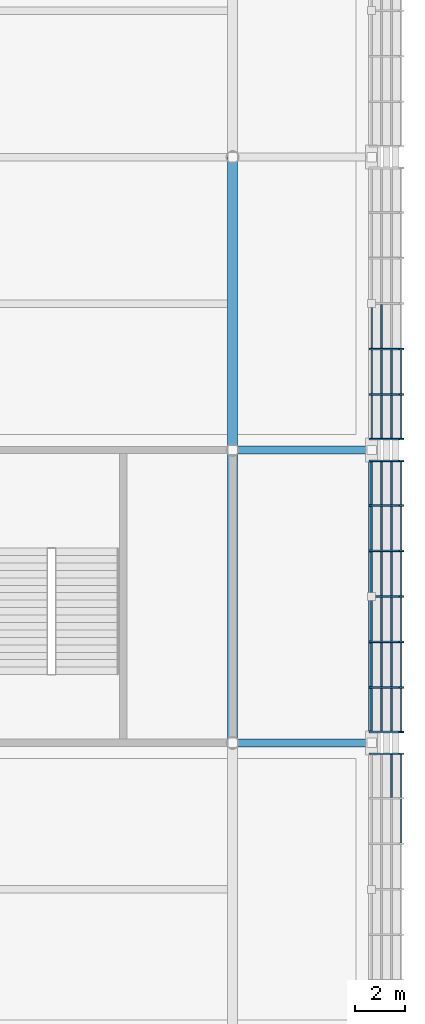
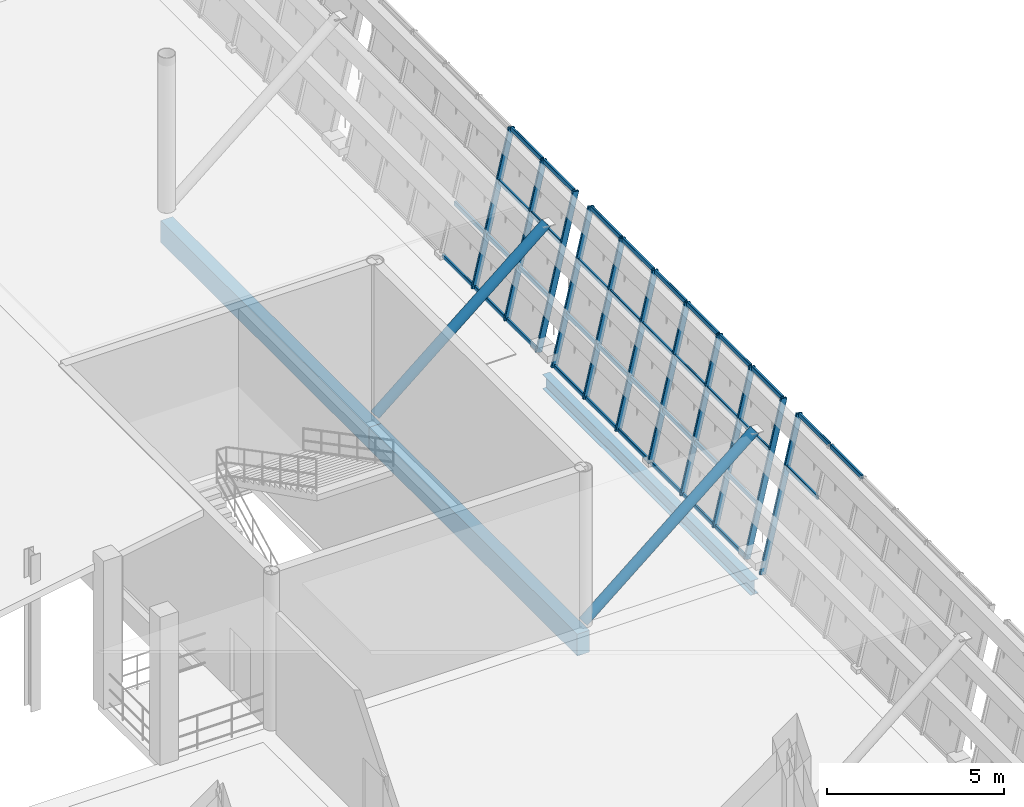
# One storey, part 63 of 175: 50 members, 3 beams, 3 elements without a shape of their own.
"""IFC4 building model written with IfcOpenShell, lengths in metres."""

from ifc_helpers import new_model, si_unit, direction, frame, origin, origin_2d, place, context, subcontext, project, spatial, rectangle, hollow_rectangle, hollow_circle, i_section, extrude, material, material_profile, profile_set, type_object, element, aggregate, save


model = new_model("IFC4")

# Units and contexts
model_context = context("Model", 3, precision=1e-05, world=origin(), true_north=direction((0.0, 1.0)))
body_context = subcontext(model_context, "Body", "Model", "MODEL_VIEW")
ifc_project = project(units=[si_unit("LENGTHUNIT", "METRE"), si_unit("AREAUNIT", "SQUARE_METRE"), si_unit("VOLUMEUNIT", "CUBIC_METRE"), si_unit("PLANEANGLEUNIT", "RADIAN"), si_unit("MASSUNIT", "GRAM", prefix="KILO")], contexts=[model_context])

# Site, building, storey
site_placement = place(None, origin())
site = spatial("IfcSite", under=ifc_project, at=site_placement, CompositionType="ELEMENT")
building_placement = place(site_placement, origin())
building = spatial("IfcBuilding", under=site, at=building_placement, Name="Brelvane Convention Centre", CompositionType="ELEMENT")
storey_placement = place(building_placement, frame((0.0, 0.0, 5.39990234375)))
storey = spatial("IfcBuildingStorey", under=building, at=storey_placement, Name="L01", CompositionType="ELEMENT", Elevation=5.39990234375)

# Curtain wall, member
ifc_material_1 = material(Name="Anodised Aluminium Alloy 6063-T6", Category="aluminium")
curtain_wall_type = type_object("IfcCurtainWallType", Name="Curtain Wall CW-PLEN-E", PredefinedType="USERDEFINED", material=ifc_material_1)
curtain_wall_1_placement = place(storey_placement, origin())
curtain_wall_1 = element("IfcCurtainWall", 1, at=curtain_wall_1_placement, inside=storey, type_object=curtain_wall_type, Name="Curtain Wall CW-PLEN-E L01-HULL-E-L01-2", ObjectType="UNITISED", PredefinedType="USERDEFINED")
ifc_material_2 = material(Name="Anodised Aluminium Alloy 6063-T6", Category="aluminium")
ifc_material_profile_1 = material_profile(ifc_material_2, hollow_rectangle(XDim=0.074951171875, YDim=0.199951171875, WallThickness=0.0048828125, InnerFilletRadius=0.0048828125, OuterFilletRadius=0.010009765625, at=origin_2d()), Name="ALU-M 200x75x5.0")
ifc_profile_set_1 = profile_set([ifc_material_profile_1], Name="Anodised Aluminium Alloy 6063-T6")
member_type_1 = type_object("IfcMemberType", Name="Curtain Mullion CW-M2", PredefinedType="MULLION", material=ifc_profile_set_1)
member_1_placement = place(storey_placement, frame((230.0, 40.16259765625, 0.0), z_axis=(0.228360162456, 0.0, 0.973576723326), x_axis=(0.0, 1.0, 0.0)))
member_1 = element("IfcMember", 2, at=member_1_placement, type_object=member_type_1, Name="CW-PLEN-E mullion 7", PredefinedType="MULLION", context=body_context, shape_type="SweptSolid", body=[
    extrude(hollow_rectangle(XDim=0.074951171875, YDim=0.199951171875, WallThickness=0.0048828125, InnerFilletRadius=0.0048828125, OuterFilletRadius=0.010009765625, at=origin_2d()), origin(), (0.0, 0.0, 1.0), 5.2900390625),
])

# Curtain wall, members
curtain_wall_2_placement = place(storey_placement, origin())
curtain_wall_2 = element("IfcCurtainWall", 3, at=curtain_wall_2_placement, inside=storey, type_object=curtain_wall_type, Name="Curtain Wall CW-PLEN-E L01-HULL-E-L01-3", ObjectType="UNITISED", PredefinedType="USERDEFINED")
member_2_placement = place(storey_placement, frame((230.0, 41.03759765625, 0.0), z_axis=(0.228360162456, 0.0, 0.973576723326), x_axis=(0.0, 1.0, 0.0)))
member_2 = element("IfcMember", 4, at=member_2_placement, type_object=member_type_1, Name="CW-PLEN-E mullion 1", PredefinedType="MULLION", context=body_context, shape_type="SweptSolid", body=[
    extrude(hollow_rectangle(XDim=0.074951171875, YDim=0.199951171875, WallThickness=0.0048828125, InnerFilletRadius=0.0048828125, OuterFilletRadius=0.010009765625, at=origin_2d()), origin(), (0.0, 0.0, 1.0), 5.2900390625),
])
member_3_placement = place(storey_placement, frame((230.0, 42.833251953125, 0.0), z_axis=(0.228360162456, 0.0, 0.973576723326), x_axis=(0.0, 1.0, 0.0)))
member_3 = element("IfcMember", 5, at=member_3_placement, type_object=member_type_1, Name="CW-PLEN-E mullion 2", PredefinedType="MULLION", context=body_context, shape_type="SweptSolid", body=[
    extrude(hollow_rectangle(XDim=0.074951171875, YDim=0.199951171875, WallThickness=0.0048828125, InnerFilletRadius=0.0048828125, OuterFilletRadius=0.010009765625, at=origin_2d()), origin(), (0.0, 0.0, 1.0), 5.2900390625),
])
member_4_placement = place(storey_placement, frame((230.0, 44.666748046875, 0.0), z_axis=(0.228360162456, 0.0, 0.973576723326), x_axis=(0.0, 1.0, 0.0)))
member_4 = element("IfcMember", 6, at=member_4_placement, type_object=member_type_1, Name="CW-PLEN-E mullion 3", PredefinedType="MULLION", context=body_context, shape_type="SweptSolid", body=[
    extrude(hollow_rectangle(XDim=0.074951171875, YDim=0.199951171875, WallThickness=0.0048828125, InnerFilletRadius=0.0048828125, OuterFilletRadius=0.010009765625, at=origin_2d()), origin(), (0.0, 0.0, 1.0), 5.2900390625),
])
member_5_placement = place(storey_placement, frame((230.0, 46.5, 0.0), z_axis=(0.228360162456, 0.0, 0.973576723326), x_axis=(0.0, 1.0, 0.0)))
member_5 = element("IfcMember", 7, at=member_5_placement, type_object=member_type_1, Name="CW-PLEN-E mullion 4", PredefinedType="MULLION", context=body_context, shape_type="SweptSolid", body=[
    extrude(hollow_rectangle(XDim=0.074951171875, YDim=0.199951171875, WallThickness=0.0048828125, InnerFilletRadius=0.0048828125, OuterFilletRadius=0.010009765625, at=origin_2d()), origin(), (0.0, 0.0, 1.0), 5.2900390625),
])
member_6_placement = place(storey_placement, frame((230.0, 48.333251953125, 0.0), z_axis=(0.228360162456, 0.0, 0.973576723326), x_axis=(0.0, 1.0, 0.0)))
member_6 = element("IfcMember", 8, at=member_6_placement, type_object=member_type_1, Name="CW-PLEN-E mullion 5", PredefinedType="MULLION", context=body_context, shape_type="SweptSolid", body=[
    extrude(hollow_rectangle(XDim=0.074951171875, YDim=0.199951171875, WallThickness=0.0048828125, InnerFilletRadius=0.0048828125, OuterFilletRadius=0.010009765625, at=origin_2d()), origin(), (0.0, 0.0, 1.0), 5.2900390625),
])
member_7_placement = place(storey_placement, frame((230.0, 50.166748046875, 0.0), z_axis=(0.228360162456, 0.0, 0.973576723326), x_axis=(0.0, 1.0, 0.0)))
member_7 = element("IfcMember", 9, at=member_7_placement, type_object=member_type_1, Name="CW-PLEN-E mullion 6", PredefinedType="MULLION", context=body_context, shape_type="SweptSolid", body=[
    extrude(hollow_rectangle(XDim=0.074951171875, YDim=0.199951171875, WallThickness=0.0048828125, InnerFilletRadius=0.0048828125, OuterFilletRadius=0.010009765625, at=origin_2d()), origin(), (0.0, 0.0, 1.0), 5.2900390625),
])
member_8_placement = place(storey_placement, frame((230.0, 51.96240234375, 0.0), z_axis=(0.228360162456, 0.0, 0.973576723326), x_axis=(0.0, 1.0, 0.0)))
member_8 = element("IfcMember", 10, at=member_8_placement, type_object=member_type_1, Name="CW-PLEN-E mullion 7", PredefinedType="MULLION", context=body_context, shape_type="SweptSolid", body=[
    extrude(hollow_rectangle(XDim=0.074951171875, YDim=0.199951171875, WallThickness=0.0048828125, InnerFilletRadius=0.0048828125, OuterFilletRadius=0.010009765625, at=origin_2d()), origin(), (0.0, 0.0, 1.0), 5.2900390625),
])

curtain_wall_3_placement = place(storey_placement, origin())
curtain_wall_3 = element("IfcCurtainWall", 11, at=curtain_wall_3_placement, inside=storey, type_object=curtain_wall_type, Name="Curtain Wall CW-PLEN-E L01-HULL-E-L01-4", ObjectType="UNITISED", PredefinedType="USERDEFINED")
member_9_placement = place(storey_placement, frame((230.0, 52.83740234375, 0.0), z_axis=(0.228360162456, 0.0, 0.973576723326), x_axis=(0.0, 1.0, 0.0)))
member_9 = element("IfcMember", 12, at=member_9_placement, type_object=member_type_1, Name="CW-PLEN-E mullion 1", PredefinedType="MULLION", context=body_context, shape_type="SweptSolid", body=[
    extrude(hollow_rectangle(XDim=0.074951171875, YDim=0.199951171875, WallThickness=0.0048828125, InnerFilletRadius=0.0048828125, OuterFilletRadius=0.010009765625, at=origin_2d()), origin(), (0.0, 0.0, 1.0), 5.2900390625),
])
member_10_placement = place(storey_placement, frame((230.0, 54.63330078125, 0.0), z_axis=(0.228360162456, 0.0, 0.973576723326), x_axis=(0.0, 1.0, 0.0)))
member_10 = element("IfcMember", 13, at=member_10_placement, type_object=member_type_1, Name="CW-PLEN-E mullion 2", PredefinedType="MULLION", context=body_context, shape_type="SweptSolid", body=[
    extrude(hollow_rectangle(XDim=0.074951171875, YDim=0.199951171875, WallThickness=0.0048828125, InnerFilletRadius=0.0048828125, OuterFilletRadius=0.010009765625, at=origin_2d()), origin(), (0.0, 0.0, 1.0), 5.2900390625),
])
member_11_placement = place(storey_placement, frame((230.0, 56.466552734375, 0.0), z_axis=(0.228360162456, 0.0, 0.973576723326), x_axis=(0.0, 1.0, 0.0)))
member_11 = element("IfcMember", 14, at=member_11_placement, type_object=member_type_1, Name="CW-PLEN-E mullion 3", PredefinedType="MULLION", context=body_context, shape_type="SweptSolid", body=[
    extrude(hollow_rectangle(XDim=0.074951171875, YDim=0.199951171875, WallThickness=0.0048828125, InnerFilletRadius=0.0048828125, OuterFilletRadius=0.010009765625, at=origin_2d()), origin(), (0.0, 0.0, 1.0), 5.2900390625),
])

# Member
ifc_material_3 = material(Name="Anodised Aluminium Alloy 6063-T6", Category="aluminium")
ifc_material_profile_2 = material_profile(ifc_material_3, hollow_rectangle(XDim=0.070068359375, YDim=0.14990234375, WallThickness=0.00439453125, InnerFilletRadius=0.00439453125, OuterFilletRadius=0.009033203125, at=origin_2d()), Name="ALU-T 150x70x4.5")
ifc_profile_set_2 = profile_set([ifc_material_profile_2], Name="Anodised Aluminium Alloy 6063-T6")
member_type_2 = type_object("IfcMemberType", Name="Curtain Transom CW-T2", PredefinedType="USERDEFINED", material=ifc_profile_set_2)
member_12_placement = place(storey_placement, frame((231.19970703125, 36.57080078125, 5.114990234375), z_axis=(0.0, 1.0, 0.0), x_axis=(-1.0, 0.0, 0.0)))
member_12 = element("IfcMember", 15, at=member_12_placement, type_object=member_type_2, Name="CW-PLEN-E transom 5.4", ObjectType="TRANSOM", PredefinedType="USERDEFINED", context=body_context, shape_type="SweptSolid", body=[
    extrude(hollow_rectangle(XDim=0.070068359375, YDim=0.14990234375, WallThickness=0.00439453125, InnerFilletRadius=0.00439453125, OuterFilletRadius=0.009033203125, at=origin_2d()), origin(), (0.0, 0.0, 1.0), 1.75830078125),
])

member_13_placement = place(storey_placement, frame((230.80517578125, 38.404052734375, 3.433349609375), z_axis=(0.0, 1.0, 0.0), x_axis=(-1.0, 0.0, 0.0)))
member_13 = element("IfcMember", 16, at=member_13_placement, type_object=member_type_2, Name="CW-PLEN-E transom 6.3", ObjectType="TRANSOM", PredefinedType="USERDEFINED", context=body_context, shape_type="SweptSolid", body=[
    extrude(hollow_rectangle(XDim=0.070068359375, YDim=0.14990234375, WallThickness=0.00439453125, InnerFilletRadius=0.00439453125, OuterFilletRadius=0.009033203125, at=origin_2d()), origin(), (0.0, 0.0, 1.0), 1.720947265625),
])

member_14_placement = place(storey_placement, frame((231.19970703125, 38.404052734375, 5.114990234375), z_axis=(0.0, 1.0, 0.0), x_axis=(-1.0, 0.0, 0.0)))
member_14 = element("IfcMember", 17, at=member_14_placement, type_object=member_type_2, Name="CW-PLEN-E transom 6.4", ObjectType="TRANSOM", PredefinedType="USERDEFINED", context=body_context, shape_type="SweptSolid", body=[
    extrude(hollow_rectangle(XDim=0.070068359375, YDim=0.14990234375, WallThickness=0.00439453125, InnerFilletRadius=0.00439453125, OuterFilletRadius=0.009033203125, at=origin_2d()), origin(), (0.0, 0.0, 1.0), 1.720947265625),
])

aggregate(curtain_wall_1, [member_1, member_12, member_13, member_14])

member_15_placement = place(storey_placement, frame((230.00830078125, 41.074951171875, 0.03515625), z_axis=(0.0, 1.0, 0.0), x_axis=(-1.0, 0.0, 0.0)))
member_15 = element("IfcMember", 18, at=member_15_placement, type_object=member_type_2, Name="CW-PLEN-E transom 1.1", ObjectType="TRANSOM", PredefinedType="USERDEFINED", context=body_context, shape_type="SweptSolid", body=[
    extrude(hollow_rectangle(XDim=0.070068359375, YDim=0.14990234375, WallThickness=0.00439453125, InnerFilletRadius=0.00439453125, OuterFilletRadius=0.009033203125, at=origin_2d()), origin(), (0.0, 0.0, 1.0), 1.720947265625),
])

member_16_placement = place(storey_placement, frame((230.402587890625, 41.074951171875, 1.716796875), z_axis=(0.0, 1.0, 0.0), x_axis=(-1.0, 0.0, 0.0)))
member_16 = element("IfcMember", 19, at=member_16_placement, type_object=member_type_2, Name="CW-PLEN-E transom 1.2", ObjectType="TRANSOM", PredefinedType="USERDEFINED", context=body_context, shape_type="SweptSolid", body=[
    extrude(hollow_rectangle(XDim=0.070068359375, YDim=0.14990234375, WallThickness=0.00439453125, InnerFilletRadius=0.00439453125, OuterFilletRadius=0.009033203125, at=origin_2d()), origin(), (0.0, 0.0, 1.0), 1.720947265625),
])

member_17_placement = place(storey_placement, frame((230.80517578125, 41.074951171875, 3.433349609375), z_axis=(0.0, 1.0, 0.0), x_axis=(-1.0, 0.0, 0.0)))
member_17 = element("IfcMember", 20, at=member_17_placement, type_object=member_type_2, Name="CW-PLEN-E transom 1.3", ObjectType="TRANSOM", PredefinedType="USERDEFINED", context=body_context, shape_type="SweptSolid", body=[
    extrude(hollow_rectangle(XDim=0.070068359375, YDim=0.14990234375, WallThickness=0.00439453125, InnerFilletRadius=0.00439453125, OuterFilletRadius=0.009033203125, at=origin_2d()), origin(), (0.0, 0.0, 1.0), 1.720947265625),
])

member_18_placement = place(storey_placement, frame((231.19970703125, 41.074951171875, 5.114990234375), z_axis=(0.0, 1.0, 0.0), x_axis=(-1.0, 0.0, 0.0)))
member_18 = element("IfcMember", 21, at=member_18_placement, type_object=member_type_2, Name="CW-PLEN-E transom 1.4", ObjectType="TRANSOM", PredefinedType="USERDEFINED", context=body_context, shape_type="SweptSolid", body=[
    extrude(hollow_rectangle(XDim=0.070068359375, YDim=0.14990234375, WallThickness=0.00439453125, InnerFilletRadius=0.00439453125, OuterFilletRadius=0.009033203125, at=origin_2d()), origin(), (0.0, 0.0, 1.0), 1.720947265625),
])

member_19_placement = place(storey_placement, frame((230.00830078125, 42.870849609375, 0.03515625), z_axis=(0.0, 1.0, 0.0), x_axis=(-1.0, 0.0, 0.0)))
member_19 = element("IfcMember", 22, at=member_19_placement, type_object=member_type_2, Name="CW-PLEN-E transom 2.1", ObjectType="TRANSOM", PredefinedType="USERDEFINED", context=body_context, shape_type="SweptSolid", body=[
    extrude(hollow_rectangle(XDim=0.070068359375, YDim=0.14990234375, WallThickness=0.00439453125, InnerFilletRadius=0.00439453125, OuterFilletRadius=0.009033203125, at=origin_2d()), origin(), (0.0, 0.0, 1.0), 1.75830078125),
])

member_20_placement = place(storey_placement, frame((230.402587890625, 42.870849609375, 1.716796875), z_axis=(0.0, 1.0, 0.0), x_axis=(-1.0, 0.0, 0.0)))
member_20 = element("IfcMember", 23, at=member_20_placement, type_object=member_type_2, Name="CW-PLEN-E transom 2.2", ObjectType="TRANSOM", PredefinedType="USERDEFINED", context=body_context, shape_type="SweptSolid", body=[
    extrude(hollow_rectangle(XDim=0.070068359375, YDim=0.14990234375, WallThickness=0.00439453125, InnerFilletRadius=0.00439453125, OuterFilletRadius=0.009033203125, at=origin_2d()), origin(), (0.0, 0.0, 1.0), 1.75830078125),
])

member_21_placement = place(storey_placement, frame((230.80517578125, 42.870849609375, 3.433349609375), z_axis=(0.0, 1.0, 0.0), x_axis=(-1.0, 0.0, 0.0)))
member_21 = element("IfcMember", 24, at=member_21_placement, type_object=member_type_2, Name="CW-PLEN-E transom 2.3", ObjectType="TRANSOM", PredefinedType="USERDEFINED", context=body_context, shape_type="SweptSolid", body=[
    extrude(hollow_rectangle(XDim=0.070068359375, YDim=0.14990234375, WallThickness=0.00439453125, InnerFilletRadius=0.00439453125, OuterFilletRadius=0.009033203125, at=origin_2d()), origin(), (0.0, 0.0, 1.0), 1.75830078125),
])

member_22_placement = place(storey_placement, frame((231.19970703125, 42.870849609375, 5.114990234375), z_axis=(0.0, 1.0, 0.0), x_axis=(-1.0, 0.0, 0.0)))
member_22 = element("IfcMember", 25, at=member_22_placement, type_object=member_type_2, Name="CW-PLEN-E transom 2.4", ObjectType="TRANSOM", PredefinedType="USERDEFINED", context=body_context, shape_type="SweptSolid", body=[
    extrude(hollow_rectangle(XDim=0.070068359375, YDim=0.14990234375, WallThickness=0.00439453125, InnerFilletRadius=0.00439453125, OuterFilletRadius=0.009033203125, at=origin_2d()), origin(), (0.0, 0.0, 1.0), 1.75830078125),
])

member_23_placement = place(storey_placement, frame((230.00830078125, 44.7041015625, 0.03515625), z_axis=(0.0, 1.0, 0.0), x_axis=(-1.0, 0.0, 0.0)))
member_23 = element("IfcMember", 26, at=member_23_placement, type_object=member_type_2, Name="CW-PLEN-E transom 3.1", ObjectType="TRANSOM", PredefinedType="USERDEFINED", context=body_context, shape_type="SweptSolid", body=[
    extrude(hollow_rectangle(XDim=0.070068359375, YDim=0.14990234375, WallThickness=0.00439453125, InnerFilletRadius=0.00439453125, OuterFilletRadius=0.009033203125, at=origin_2d()), origin(), (0.0, 0.0, 1.0), 1.75830078125),
])

member_24_placement = place(storey_placement, frame((230.402587890625, 44.7041015625, 1.716796875), z_axis=(0.0, 1.0, 0.0), x_axis=(-1.0, 0.0, 0.0)))
member_24 = element("IfcMember", 27, at=member_24_placement, type_object=member_type_2, Name="CW-PLEN-E transom 3.2", ObjectType="TRANSOM", PredefinedType="USERDEFINED", context=body_context, shape_type="SweptSolid", body=[
    extrude(hollow_rectangle(XDim=0.070068359375, YDim=0.14990234375, WallThickness=0.00439453125, InnerFilletRadius=0.00439453125, OuterFilletRadius=0.009033203125, at=origin_2d()), origin(), (0.0, 0.0, 1.0), 1.75830078125),
])

member_25_placement = place(storey_placement, frame((230.80517578125, 44.7041015625, 3.433349609375), z_axis=(0.0, 1.0, 0.0), x_axis=(-1.0, 0.0, 0.0)))
member_25 = element("IfcMember", 28, at=member_25_placement, type_object=member_type_2, Name="CW-PLEN-E transom 3.3", ObjectType="TRANSOM", PredefinedType="USERDEFINED", context=body_context, shape_type="SweptSolid", body=[
    extrude(hollow_rectangle(XDim=0.070068359375, YDim=0.14990234375, WallThickness=0.00439453125, InnerFilletRadius=0.00439453125, OuterFilletRadius=0.009033203125, at=origin_2d()), origin(), (0.0, 0.0, 1.0), 1.75830078125),
])

member_26_placement = place(storey_placement, frame((231.19970703125, 44.7041015625, 5.114990234375), z_axis=(0.0, 1.0, 0.0), x_axis=(-1.0, 0.0, 0.0)))
member_26 = element("IfcMember", 29, at=member_26_placement, type_object=member_type_2, Name="CW-PLEN-E transom 3.4", ObjectType="TRANSOM", PredefinedType="USERDEFINED", context=body_context, shape_type="SweptSolid", body=[
    extrude(hollow_rectangle(XDim=0.070068359375, YDim=0.14990234375, WallThickness=0.00439453125, InnerFilletRadius=0.00439453125, OuterFilletRadius=0.009033203125, at=origin_2d()), origin(), (0.0, 0.0, 1.0), 1.75830078125),
])

member_27_placement = place(storey_placement, frame((230.00830078125, 46.53759765625, 0.03515625), z_axis=(0.0, 1.0, 0.0), x_axis=(-1.0, 0.0, 0.0)))
member_27 = element("IfcMember", 30, at=member_27_placement, type_object=member_type_2, Name="CW-PLEN-E transom 4.1", ObjectType="TRANSOM", PredefinedType="USERDEFINED", context=body_context, shape_type="SweptSolid", body=[
    extrude(hollow_rectangle(XDim=0.070068359375, YDim=0.14990234375, WallThickness=0.00439453125, InnerFilletRadius=0.00439453125, OuterFilletRadius=0.009033203125, at=origin_2d()), origin(), (0.0, 0.0, 1.0), 1.75830078125),
])

member_28_placement = place(storey_placement, frame((230.402587890625, 46.53759765625, 1.716796875), z_axis=(0.0, 1.0, 0.0), x_axis=(-1.0, 0.0, 0.0)))
member_28 = element("IfcMember", 31, at=member_28_placement, type_object=member_type_2, Name="CW-PLEN-E transom 4.2", ObjectType="TRANSOM", PredefinedType="USERDEFINED", context=body_context, shape_type="SweptSolid", body=[
    extrude(hollow_rectangle(XDim=0.070068359375, YDim=0.14990234375, WallThickness=0.00439453125, InnerFilletRadius=0.00439453125, OuterFilletRadius=0.009033203125, at=origin_2d()), origin(), (0.0, 0.0, 1.0), 1.75830078125),
])

member_29_placement = place(storey_placement, frame((230.80517578125, 46.53759765625, 3.433349609375), z_axis=(0.0, 1.0, 0.0), x_axis=(-1.0, 0.0, 0.0)))
member_29 = element("IfcMember", 32, at=member_29_placement, type_object=member_type_2, Name="CW-PLEN-E transom 4.3", ObjectType="TRANSOM", PredefinedType="USERDEFINED", context=body_context, shape_type="SweptSolid", body=[
    extrude(hollow_rectangle(XDim=0.070068359375, YDim=0.14990234375, WallThickness=0.00439453125, InnerFilletRadius=0.00439453125, OuterFilletRadius=0.009033203125, at=origin_2d()), origin(), (0.0, 0.0, 1.0), 1.75830078125),
])

member_30_placement = place(storey_placement, frame((231.19970703125, 46.53759765625, 5.114990234375), z_axis=(0.0, 1.0, 0.0), x_axis=(-1.0, 0.0, 0.0)))
member_30 = element("IfcMember", 33, at=member_30_placement, type_object=member_type_2, Name="CW-PLEN-E transom 4.4", ObjectType="TRANSOM", PredefinedType="USERDEFINED", context=body_context, shape_type="SweptSolid", body=[
    extrude(hollow_rectangle(XDim=0.070068359375, YDim=0.14990234375, WallThickness=0.00439453125, InnerFilletRadius=0.00439453125, OuterFilletRadius=0.009033203125, at=origin_2d()), origin(), (0.0, 0.0, 1.0), 1.75830078125),
])

member_31_placement = place(storey_placement, frame((230.00830078125, 48.370849609375, 0.03515625), z_axis=(0.0, 1.0, 0.0), x_axis=(-1.0, 0.0, 0.0)))
member_31 = element("IfcMember", 34, at=member_31_placement, type_object=member_type_2, Name="CW-PLEN-E transom 5.1", ObjectType="TRANSOM", PredefinedType="USERDEFINED", context=body_context, shape_type="SweptSolid", body=[
    extrude(hollow_rectangle(XDim=0.070068359375, YDim=0.14990234375, WallThickness=0.00439453125, InnerFilletRadius=0.00439453125, OuterFilletRadius=0.009033203125, at=origin_2d()), origin(), (0.0, 0.0, 1.0), 1.75830078125),
])

member_32_placement = place(storey_placement, frame((230.402587890625, 48.370849609375, 1.716796875), z_axis=(0.0, 1.0, 0.0), x_axis=(-1.0, 0.0, 0.0)))
member_32 = element("IfcMember", 35, at=member_32_placement, type_object=member_type_2, Name="CW-PLEN-E transom 5.2", ObjectType="TRANSOM", PredefinedType="USERDEFINED", context=body_context, shape_type="SweptSolid", body=[
    extrude(hollow_rectangle(XDim=0.070068359375, YDim=0.14990234375, WallThickness=0.00439453125, InnerFilletRadius=0.00439453125, OuterFilletRadius=0.009033203125, at=origin_2d()), origin(), (0.0, 0.0, 1.0), 1.75830078125),
])

member_33_placement = place(storey_placement, frame((230.80517578125, 48.370849609375, 3.433349609375), z_axis=(0.0, 1.0, 0.0), x_axis=(-1.0, 0.0, 0.0)))
member_33 = element("IfcMember", 36, at=member_33_placement, type_object=member_type_2, Name="CW-PLEN-E transom 5.3", ObjectType="TRANSOM", PredefinedType="USERDEFINED", context=body_context, shape_type="SweptSolid", body=[
    extrude(hollow_rectangle(XDim=0.070068359375, YDim=0.14990234375, WallThickness=0.00439453125, InnerFilletRadius=0.00439453125, OuterFilletRadius=0.009033203125, at=origin_2d()), origin(), (0.0, 0.0, 1.0), 1.75830078125),
])

member_34_placement = place(storey_placement, frame((231.19970703125, 48.370849609375, 5.114990234375), z_axis=(0.0, 1.0, 0.0), x_axis=(-1.0, 0.0, 0.0)))
member_34 = element("IfcMember", 37, at=member_34_placement, type_object=member_type_2, Name="CW-PLEN-E transom 5.4", ObjectType="TRANSOM", PredefinedType="USERDEFINED", context=body_context, shape_type="SweptSolid", body=[
    extrude(hollow_rectangle(XDim=0.070068359375, YDim=0.14990234375, WallThickness=0.00439453125, InnerFilletRadius=0.00439453125, OuterFilletRadius=0.009033203125, at=origin_2d()), origin(), (0.0, 0.0, 1.0), 1.75830078125),
])

member_35_placement = place(storey_placement, frame((230.00830078125, 50.2041015625, 0.03515625), z_axis=(0.0, 1.0, 0.0), x_axis=(-1.0, 0.0, 0.0)))
member_35 = element("IfcMember", 38, at=member_35_placement, type_object=member_type_2, Name="CW-PLEN-E transom 6.1", ObjectType="TRANSOM", PredefinedType="USERDEFINED", context=body_context, shape_type="SweptSolid", body=[
    extrude(hollow_rectangle(XDim=0.070068359375, YDim=0.14990234375, WallThickness=0.00439453125, InnerFilletRadius=0.00439453125, OuterFilletRadius=0.009033203125, at=origin_2d()), origin(), (0.0, 0.0, 1.0), 1.720947265625),
])

member_36_placement = place(storey_placement, frame((230.402587890625, 50.2041015625, 1.716796875), z_axis=(0.0, 1.0, 0.0), x_axis=(-1.0, 0.0, 0.0)))
member_36 = element("IfcMember", 39, at=member_36_placement, type_object=member_type_2, Name="CW-PLEN-E transom 6.2", ObjectType="TRANSOM", PredefinedType="USERDEFINED", context=body_context, shape_type="SweptSolid", body=[
    extrude(hollow_rectangle(XDim=0.070068359375, YDim=0.14990234375, WallThickness=0.00439453125, InnerFilletRadius=0.00439453125, OuterFilletRadius=0.009033203125, at=origin_2d()), origin(), (0.0, 0.0, 1.0), 1.720947265625),
])

member_37_placement = place(storey_placement, frame((230.80517578125, 50.2041015625, 3.433349609375), z_axis=(0.0, 1.0, 0.0), x_axis=(-1.0, 0.0, 0.0)))
member_37 = element("IfcMember", 40, at=member_37_placement, type_object=member_type_2, Name="CW-PLEN-E transom 6.3", ObjectType="TRANSOM", PredefinedType="USERDEFINED", context=body_context, shape_type="SweptSolid", body=[
    extrude(hollow_rectangle(XDim=0.070068359375, YDim=0.14990234375, WallThickness=0.00439453125, InnerFilletRadius=0.00439453125, OuterFilletRadius=0.009033203125, at=origin_2d()), origin(), (0.0, 0.0, 1.0), 1.720947265625),
])

member_38_placement = place(storey_placement, frame((231.19970703125, 50.2041015625, 5.114990234375), z_axis=(0.0, 1.0, 0.0), x_axis=(-1.0, 0.0, 0.0)))
member_38 = element("IfcMember", 41, at=member_38_placement, type_object=member_type_2, Name="CW-PLEN-E transom 6.4", ObjectType="TRANSOM", PredefinedType="USERDEFINED", context=body_context, shape_type="SweptSolid", body=[
    extrude(hollow_rectangle(XDim=0.070068359375, YDim=0.14990234375, WallThickness=0.00439453125, InnerFilletRadius=0.00439453125, OuterFilletRadius=0.009033203125, at=origin_2d()), origin(), (0.0, 0.0, 1.0), 1.720947265625),
])

aggregate(curtain_wall_2, [member_2, member_3, member_4, member_5, member_6, member_7, member_8, member_15, member_16, member_17, member_18, member_19, member_20, member_21, member_22, member_23, member_24, member_25, member_26, member_27, member_28, member_29, member_30, member_31, member_32, member_33, member_34, member_35, member_36, member_37, member_38])

member_39_placement = place(storey_placement, frame((230.00830078125, 52.875, 0.03515625), z_axis=(0.0, 1.0, 0.0), x_axis=(-1.0, 0.0, 0.0)))
member_39 = element("IfcMember", 42, at=member_39_placement, type_object=member_type_2, Name="CW-PLEN-E transom 1.1", ObjectType="TRANSOM", PredefinedType="USERDEFINED", context=body_context, shape_type="SweptSolid", body=[
    extrude(hollow_rectangle(XDim=0.070068359375, YDim=0.14990234375, WallThickness=0.00439453125, InnerFilletRadius=0.00439453125, OuterFilletRadius=0.009033203125, at=origin_2d()), origin(), (0.0, 0.0, 1.0), 1.720947265625),
])

member_40_placement = place(storey_placement, frame((230.402587890625, 52.875, 1.716796875), z_axis=(0.0, 1.0, 0.0), x_axis=(-1.0, 0.0, 0.0)))
member_40 = element("IfcMember", 43, at=member_40_placement, type_object=member_type_2, Name="CW-PLEN-E transom 1.2", ObjectType="TRANSOM", PredefinedType="USERDEFINED", context=body_context, shape_type="SweptSolid", body=[
    extrude(hollow_rectangle(XDim=0.070068359375, YDim=0.14990234375, WallThickness=0.00439453125, InnerFilletRadius=0.00439453125, OuterFilletRadius=0.009033203125, at=origin_2d()), origin(), (0.0, 0.0, 1.0), 1.720947265625),
])

member_41_placement = place(storey_placement, frame((230.80517578125, 52.875, 3.433349609375), z_axis=(0.0, 1.0, 0.0), x_axis=(-1.0, 0.0, 0.0)))
member_41 = element("IfcMember", 44, at=member_41_placement, type_object=member_type_2, Name="CW-PLEN-E transom 1.3", ObjectType="TRANSOM", PredefinedType="USERDEFINED", context=body_context, shape_type="SweptSolid", body=[
    extrude(hollow_rectangle(XDim=0.070068359375, YDim=0.14990234375, WallThickness=0.00439453125, InnerFilletRadius=0.00439453125, OuterFilletRadius=0.009033203125, at=origin_2d()), origin(), (0.0, 0.0, 1.0), 1.720947265625),
])

member_42_placement = place(storey_placement, frame((231.19970703125, 52.875, 5.114990234375), z_axis=(0.0, 1.0, 0.0), x_axis=(-1.0, 0.0, 0.0)))
member_42 = element("IfcMember", 45, at=member_42_placement, type_object=member_type_2, Name="CW-PLEN-E transom 1.4", ObjectType="TRANSOM", PredefinedType="USERDEFINED", context=body_context, shape_type="SweptSolid", body=[
    extrude(hollow_rectangle(XDim=0.070068359375, YDim=0.14990234375, WallThickness=0.00439453125, InnerFilletRadius=0.00439453125, OuterFilletRadius=0.009033203125, at=origin_2d()), origin(), (0.0, 0.0, 1.0), 1.720947265625),
])

member_43_placement = place(storey_placement, frame((230.00830078125, 54.6708984375, 0.03515625), z_axis=(0.0, 1.0, 0.0), x_axis=(-1.0, 0.0, 0.0)))
member_43 = element("IfcMember", 46, at=member_43_placement, type_object=member_type_2, Name="CW-PLEN-E transom 2.1", ObjectType="TRANSOM", PredefinedType="USERDEFINED", context=body_context, shape_type="SweptSolid", body=[
    extrude(hollow_rectangle(XDim=0.070068359375, YDim=0.14990234375, WallThickness=0.00439453125, InnerFilletRadius=0.00439453125, OuterFilletRadius=0.009033203125, at=origin_2d()), origin(), (0.0, 0.0, 1.0), 1.75830078125),
])

member_44_placement = place(storey_placement, frame((230.402587890625, 54.6708984375, 1.716796875), z_axis=(0.0, 1.0, 0.0), x_axis=(-1.0, 0.0, 0.0)))
member_44 = element("IfcMember", 47, at=member_44_placement, type_object=member_type_2, Name="CW-PLEN-E transom 2.2", ObjectType="TRANSOM", PredefinedType="USERDEFINED", context=body_context, shape_type="SweptSolid", body=[
    extrude(hollow_rectangle(XDim=0.070068359375, YDim=0.14990234375, WallThickness=0.00439453125, InnerFilletRadius=0.00439453125, OuterFilletRadius=0.009033203125, at=origin_2d()), origin(), (0.0, 0.0, 1.0), 1.75830078125),
])

member_45_placement = place(storey_placement, frame((230.80517578125, 54.6708984375, 3.433349609375), z_axis=(0.0, 1.0, 0.0), x_axis=(-1.0, 0.0, 0.0)))
member_45 = element("IfcMember", 48, at=member_45_placement, type_object=member_type_2, Name="CW-PLEN-E transom 2.3", ObjectType="TRANSOM", PredefinedType="USERDEFINED", context=body_context, shape_type="SweptSolid", body=[
    extrude(hollow_rectangle(XDim=0.070068359375, YDim=0.14990234375, WallThickness=0.00439453125, InnerFilletRadius=0.00439453125, OuterFilletRadius=0.009033203125, at=origin_2d()), origin(), (0.0, 0.0, 1.0), 1.75830078125),
])

member_46_placement = place(storey_placement, frame((231.19970703125, 54.6708984375, 5.114990234375), z_axis=(0.0, 1.0, 0.0), x_axis=(-1.0, 0.0, 0.0)))
member_46 = element("IfcMember", 49, at=member_46_placement, type_object=member_type_2, Name="CW-PLEN-E transom 2.4", ObjectType="TRANSOM", PredefinedType="USERDEFINED", context=body_context, shape_type="SweptSolid", body=[
    extrude(hollow_rectangle(XDim=0.070068359375, YDim=0.14990234375, WallThickness=0.00439453125, InnerFilletRadius=0.00439453125, OuterFilletRadius=0.009033203125, at=origin_2d()), origin(), (0.0, 0.0, 1.0), 1.75830078125),
])

member_47_placement = place(storey_placement, frame((230.00830078125, 56.504150390625, 0.03515625), z_axis=(0.0, 1.0, 0.0), x_axis=(-1.0, 0.0, 0.0)))
member_47 = element("IfcMember", 50, at=member_47_placement, type_object=member_type_2, Name="CW-PLEN-E transom 3.1", ObjectType="TRANSOM", PredefinedType="USERDEFINED", context=body_context, shape_type="SweptSolid", body=[
    extrude(hollow_rectangle(XDim=0.070068359375, YDim=0.14990234375, WallThickness=0.00439453125, InnerFilletRadius=0.00439453125, OuterFilletRadius=0.009033203125, at=origin_2d()), origin(), (0.0, 0.0, 1.0), 1.75830078125),
])

member_48_placement = place(storey_placement, frame((230.402587890625, 56.504150390625, 1.716796875), z_axis=(0.0, 1.0, 0.0), x_axis=(-1.0, 0.0, 0.0)))
member_48 = element("IfcMember", 51, at=member_48_placement, type_object=member_type_2, Name="CW-PLEN-E transom 3.2", ObjectType="TRANSOM", PredefinedType="USERDEFINED", context=body_context, shape_type="SweptSolid", body=[
    extrude(hollow_rectangle(XDim=0.070068359375, YDim=0.14990234375, WallThickness=0.00439453125, InnerFilletRadius=0.00439453125, OuterFilletRadius=0.009033203125, at=origin_2d()), origin(), (0.0, 0.0, 1.0), 1.75830078125),
])

aggregate(curtain_wall_3, [member_9, member_10, member_11, member_39, member_40, member_41, member_42, member_43, member_44, member_45, member_46, member_47, member_48])

# Beams
ifc_material_4 = material(Name="Concrete M40", Category="concrete")
ifc_material_profile_3 = material_profile(ifc_material_4, rectangle(XDim=0.39990234375, YDim=0.75, at=origin_2d()), Name="RC 400x750")
ifc_profile_set_3 = profile_set([ifc_material_profile_3], Name="Concrete M40")
beam_type_1 = type_object("IfcBeamType", Name="RC Spandrel SP-RC1 (RC 400x750)", PredefinedType="SPANDREL", material=ifc_profile_set_3)
beam_1_placement = place(storey_placement, frame((224.39990234375, 40.60009765625, -0.69482421875), z_axis=(0.0, 1.0, 0.0), x_axis=(-1.0, 0.0, 0.0)))
element("IfcBeam", 52, at=beam_1_placement, inside=storey, type_object=beam_type_1, Name="L01 Girder 23/E-F", PredefinedType="SPANDREL", context=body_context, shape_type="SweptSolid", body=[
    extrude(rectangle(XDim=0.39990234375, YDim=0.75, at=origin_2d()), origin(), (0.0, 0.0, 1.0), 11.7998046875),
])
beam_2_placement = place(storey_placement, frame((224.39990234375, 52.39990234375, -0.69482421875), z_axis=(0.0, 1.0, 0.0), x_axis=(-1.0, 0.0, 0.0)))
element("IfcBeam", 53, at=beam_2_placement, inside=storey, type_object=beam_type_1, Name="L01 Girder 23/F-G", PredefinedType="SPANDREL", context=body_context, shape_type="SweptSolid", body=[
    extrude(rectangle(XDim=0.39990234375, YDim=0.75, at=origin_2d()), origin(), (0.0, 0.0, 1.0), 11.800048828125),
])
ifc_material_5 = material(Name="Steel E350 (350 MPa)", Category="steel")
ifc_material_profile_4 = material_profile(ifc_material_5, i_section(OverallWidth=0.25, OverallDepth=0.5, WebThickness=0.010009765625, FlangeThickness=0.0146484375, FilletRadius=0.01611328125, at=origin_2d()), Name="ISWB 500")
ifc_profile_set_4 = profile_set([ifc_material_profile_4], Name="Steel E350 (350 MPa)")
beam_type_2 = type_object("IfcBeamType", Name="Steel Spandrel SP-ST1 (ISWB 500)", PredefinedType="SPANDREL", material=ifc_profile_set_4)
beam_3_placement = place(storey_placement, frame((230.0, 40.60009765625, -0.719970703125), z_axis=(0.0, 1.0, 0.0), x_axis=(-1.0, 0.0, 0.0)))
element("IfcBeam", 54, at=beam_3_placement, inside=storey, type_object=beam_type_2, Name="L01 Plenary Overhang Tip Spandrel 3", PredefinedType="SPANDREL", context=body_context, shape_type="SweptSolid", body=[
    extrude(i_section(OverallWidth=0.25, OverallDepth=0.5, WebThickness=0.010009765625, FlangeThickness=0.0146484375, FilletRadius=0.01611328125, at=origin_2d()), origin(), (0.0, 0.0, 1.0), 11.7998046875),
])

# Members
ifc_material_6 = material(Name="Steel E450 (450 MPa)", Category="steel")
ifc_material_profile_5 = material_profile(ifc_material_6, hollow_circle(Radius=0.161865234375, WallThickness=0.012451171875, at=origin_2d()), Name="CHS 323.9x12.5")
ifc_profile_set_5 = profile_set([ifc_material_profile_5], Name="Steel E450 (450 MPa)")
member_type_3 = type_object("IfcMemberType", Name="Steel Strut HS-ST2 (CHS 323.9x12.5)", PredefinedType="STRUT", material=ifc_profile_set_5)
for number, where, z_axis, x_axis, name in (
    (55, (224.39990234375, 40.60009765625, 0.050048828125), (0.767990703815, 0.0, 0.640460989331), (0.0, 1.0, 0.0), "Plenary East Overhang Raked Strut L02 Y40"),
    (56, (224.39990234375, 52.39990234375, 0.050048828125), (0.767990703815, 0.0, 0.640460989331), (0.0, 1.0, 0.0), "Plenary East Overhang Raked Strut L02 Y52"),
):
    element("IfcMember", number, at=place(storey_placement, frame(where, z_axis=z_axis, x_axis=x_axis)), inside=storey, type_object=member_type_3, Name=name, PredefinedType="STRUT", context=body_context, shape_type="SweptSolid", body=[
        extrude(hollow_circle(Radius=0.161865234375, WallThickness=0.012451171875, at=origin_2d()), origin(), (0.0, 0.0, 1.0), 7.2919921875),
    ])

save(model, "model.ifc")
